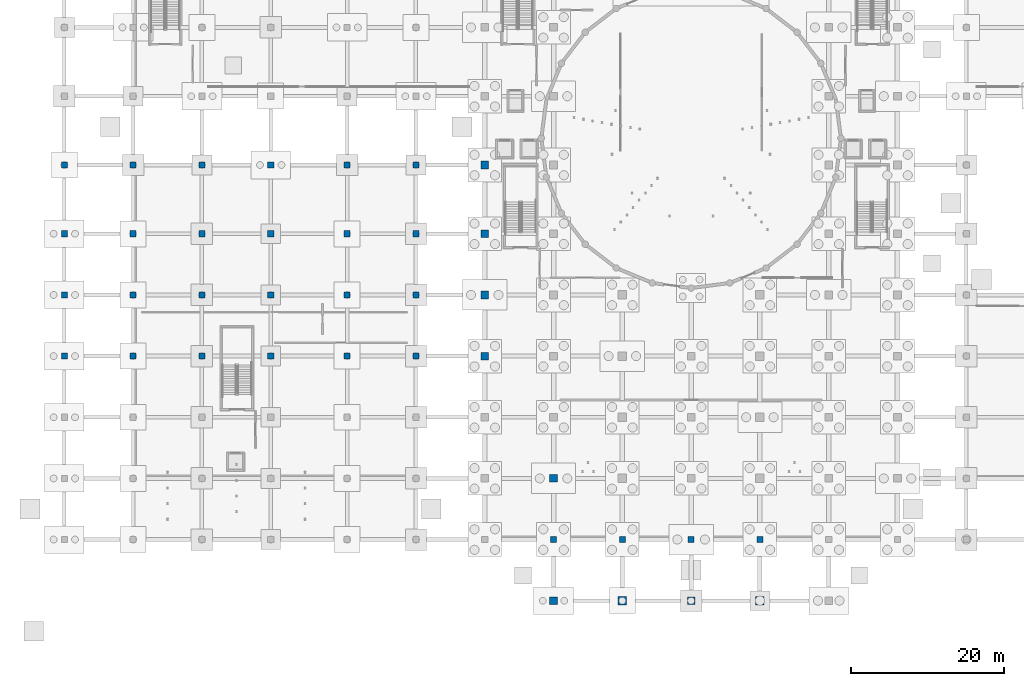
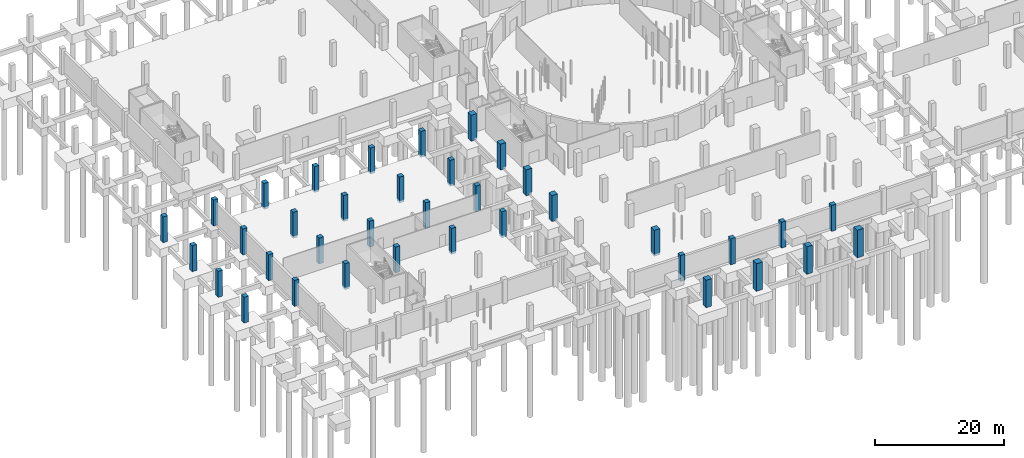
# One storey, part 14 of 40: 37 columns.
"""IFC4 building model written with IfcOpenShell, lengths in metres."""

from ifc_helpers import new_model, si_unit, direction, frame, origin, origin_2d, place, context, subcontext, project, spatial, rectangle, extrude, material, material_profile, profile_set, type_object, element, save


model = new_model("IFC4")

# Units and contexts
model_context = context("Model", 3, precision=1e-05, world=origin(), true_north=direction((0.0, 1.0)))
body_context = subcontext(model_context, "Body", "Model", "MODEL_VIEW")
ifc_project = project(units=[si_unit("LENGTHUNIT", "METRE"), si_unit("AREAUNIT", "SQUARE_METRE"), si_unit("VOLUMEUNIT", "CUBIC_METRE"), si_unit("PLANEANGLEUNIT", "RADIAN"), si_unit("MASSUNIT", "GRAM", prefix="KILO")], contexts=[model_context])

# Site, building, storey
site_placement = place(None, origin())
site = spatial("IfcSite", under=ifc_project, at=site_placement, CompositionType="ELEMENT")
building_placement = place(site_placement, origin())
building = spatial("IfcBuilding", under=site, at=building_placement, Name="Marnock Terrace Opera House", CompositionType="ELEMENT")
storey_placement = place(building_placement, frame((0.0, 0.0, -4.800048828125)))
storey = spatial("IfcBuildingStorey", under=building, at=storey_placement, Name="B1", CompositionType="ELEMENT", Elevation=-4.800048828125)

# Columns
ifc_material = material(Name="Concrete N50 (f'c = 50 MPa)", Category="concrete")
ifc_material_profile_1 = material_profile(ifc_material, rectangle(XDim=1.0, YDim=1.0, at=origin_2d()))
ifc_profile_set_1 = profile_set([ifc_material_profile_1], Name="Concrete N50 (f'c = 50 MPa)")
column_type_1 = type_object("IfcColumnType", Name="COL-RC1000", PredefinedType="COLUMN", material=ifc_profile_set_1)
for number, where, z_axis, x_axis, name in (
    (1, (55.0, 32.0, -0.39990234375), (0.0, 0.0, 1.0), (1.0, 0.0, 0.0), "B1 column at (55.0, 32.0)"),
    (2, (55.0, 40.0, -0.39990234375), (0.0, 0.0, 1.0), (1.0, 0.0, 0.0), "B1 column at (55.0, 40.0)"),
    (3, (55.0, 48.0, -0.39990234375), (0.0, 0.0, 1.0), (1.0, 0.0, 0.0), "B1 column at (55.0, 48.0)"),
    (4, (55.0, 57.0, -0.39990234375), (0.0, 0.0, 1.0), (1.0, 0.0, 0.0), "B1 column at (55.0, 57.0)"),
):
    element("IfcColumn", number, at=place(storey_placement, frame(where, z_axis=z_axis, x_axis=x_axis)), inside=storey, type_object=column_type_1, Name=name, PredefinedType="COLUMN", context=body_context, shape_type="SweptSolid", body=[
        extrude(rectangle(XDim=1.0, YDim=1.0, at=origin_2d()), origin(), (0.0, 0.0, 1.0), 4.89990234375),
    ])
column_1_placement = place(storey_placement, frame((64.0, 0.0, -0.39990234375), z_axis=(0.0, 0.0, 1.0), x_axis=(1.0, 0.0, 0.0)))
element("IfcColumn", 5, at=column_1_placement, inside=storey, type_object=column_type_1, Name="B1 column at (64.0, 0.0)", PredefinedType="COLUMN", context=body_context, shape_type="SweptSolid", body=[
    extrude(rectangle(XDim=1.0, YDim=1.0, at=origin_2d()), origin(), (0.0, 0.0, 1.0), 5.199951171875),
])
column_2_placement = place(storey_placement, frame((64.0, 16.0, -0.39990234375), z_axis=(0.0, 0.0, 1.0), x_axis=(1.0, 0.0, 0.0)))
element("IfcColumn", 6, at=column_2_placement, inside=storey, type_object=column_type_1, Name="B1 column at (64.0, 16.0)", PredefinedType="COLUMN", context=body_context, shape_type="SweptSolid", body=[
    extrude(rectangle(XDim=1.0, YDim=1.0, at=origin_2d()), origin(), (0.0, 0.0, 1.0), 4.89990234375),
])
column_3_placement = place(storey_placement, frame((82.0, 0.0, -0.39990234375), z_axis=(0.0, 0.0, 1.0), x_axis=(1.0, 0.0, 0.0)))
element("IfcColumn", 7, at=column_3_placement, inside=storey, type_object=column_type_1, Name="B1 column at (82.0, 0.0)", PredefinedType="COLUMN", context=body_context, shape_type="SweptSolid", body=[
    extrude(rectangle(XDim=1.0, YDim=1.0, at=origin_2d()), origin(), (0.0, 0.0, 1.0), 5.199951171875),
])
ifc_material_profile_2 = material_profile(ifc_material, rectangle(XDim=1.10009765625, YDim=1.10009765625, at=origin_2d()))
ifc_profile_set_2 = profile_set([ifc_material_profile_2], Name="Concrete N50 (f'c = 50 MPa)")
column_type_2 = type_object("IfcColumnType", Name="COL-RC1100", PredefinedType="COLUMN", material=ifc_profile_set_2)
for number, where, z_axis, x_axis, name in (
    (8, (73.0, 0.0, -0.39990234375), (0.0, 0.0, 1.0), (1.0, 0.0, 0.0), "B1 column at (73.0, 0.0)"),
    (9, (91.0, 0.0, -0.39990234375), (0.0, 0.0, 1.0), (1.0, 0.0, 0.0), "B1 column at (91.0, 0.0)"),
):
    element("IfcColumn", number, at=place(storey_placement, frame(where, z_axis=z_axis, x_axis=x_axis)), inside=storey, type_object=column_type_2, Name=name, PredefinedType="COLUMN", context=body_context, shape_type="SweptSolid", body=[
        extrude(rectangle(XDim=1.10009765625, YDim=1.10009765625, at=origin_2d()), origin(), (0.0, 0.0, 1.0), 5.199951171875),
    ])
ifc_material_profile_3 = material_profile(ifc_material, rectangle(XDim=0.800048828125, YDim=0.800048828125, at=origin_2d()))
ifc_profile_set_3 = profile_set([ifc_material_profile_3], Name="Concrete N50 (f'c = 50 MPa)")
column_type_3 = type_object("IfcColumnType", Name="COL-RC800", PredefinedType="COLUMN", material=ifc_profile_set_3)
for number, where, z_axis, x_axis, name in (
    (10, (0.0, 32.0, -0.39990234375), (0.0, 0.0, 1.0), (1.0, 0.0, 0.0), "B1 column at (0.0, 32.0)"),
    (11, (0.0, 40.0, -0.39990234375), (0.0, 0.0, 1.0), (1.0, 0.0, 0.0), "B1 column at (0.0, 40.0)"),
    (12, (0.0, 48.0, -0.39990234375), (0.0, 0.0, 1.0), (1.0, 0.0, 0.0), "B1 column at (0.0, 48.0)"),
    (13, (0.0, 57.0, -0.39990234375), (0.0, 0.0, 1.0), (1.0, 0.0, 0.0), "B1 column at (0.0, 57.0)"),
    (14, (9.0, 32.0, -0.39990234375), (0.0, 0.0, 1.0), (1.0, 0.0, 0.0), "B1 column at (9.0, 32.0)"),
    (15, (9.0, 40.0, -0.39990234375), (0.0, 0.0, 1.0), (1.0, 0.0, 0.0), "B1 column at (9.0, 40.0)"),
    (16, (9.0, 48.0, -0.39990234375), (0.0, 0.0, 1.0), (1.0, 0.0, 0.0), "B1 column at (9.0, 48.0)"),
    (17, (9.0, 57.0, -0.39990234375), (0.0, 0.0, 1.0), (1.0, 0.0, 0.0), "B1 column at (9.0, 57.0)"),
    (18, (18.0, 32.0, -0.39990234375), (0.0, 0.0, 1.0), (1.0, 0.0, 0.0), "B1 column at (18.0, 32.0)"),
    (19, (18.0, 40.0, -0.39990234375), (0.0, 0.0, 1.0), (1.0, 0.0, 0.0), "B1 column at (18.0, 40.0)"),
    (20, (18.0, 48.0, -0.39990234375), (0.0, 0.0, 1.0), (1.0, 0.0, 0.0), "B1 column at (18.0, 48.0)"),
    (21, (18.0, 57.0, -0.39990234375), (0.0, 0.0, 1.0), (1.0, 0.0, 0.0), "B1 column at (18.0, 57.0)"),
    (22, (27.0, 32.0, -0.39990234375), (0.0, 0.0, 1.0), (1.0, 0.0, 0.0), "B1 column at (27.0, 32.0)"),
    (23, (27.0, 40.0, -0.39990234375), (0.0, 0.0, 1.0), (1.0, 0.0, 0.0), "B1 column at (27.0, 40.0)"),
    (24, (27.0, 48.0, -0.39990234375), (0.0, 0.0, 1.0), (1.0, 0.0, 0.0), "B1 column at (27.0, 48.0)"),
    (25, (27.0, 57.0, -0.39990234375), (0.0, 0.0, 1.0), (1.0, 0.0, 0.0), "B1 column at (27.0, 57.0)"),
    (26, (37.0, 32.0, -0.39990234375), (0.0, 0.0, 1.0), (1.0, 0.0, 0.0), "B1 column at (37.0, 32.0)"),
    (27, (37.0, 40.0, -0.39990234375), (0.0, 0.0, 1.0), (1.0, 0.0, 0.0), "B1 column at (37.0, 40.0)"),
    (28, (37.0, 48.0, -0.39990234375), (0.0, 0.0, 1.0), (1.0, 0.0, 0.0), "B1 column at (37.0, 48.0)"),
    (29, (37.0, 57.0, -0.39990234375), (0.0, 0.0, 1.0), (1.0, 0.0, 0.0), "B1 column at (37.0, 57.0)"),
    (30, (46.0, 32.0, -0.39990234375), (0.0, 0.0, 1.0), (1.0, 0.0, 0.0), "B1 column at (46.0, 32.0)"),
    (31, (46.0, 40.0, -0.39990234375), (0.0, 0.0, 1.0), (1.0, 0.0, 0.0), "B1 column at (46.0, 40.0)"),
    (32, (46.0, 48.0, -0.39990234375), (0.0, 0.0, 1.0), (1.0, 0.0, 0.0), "B1 column at (46.0, 48.0)"),
    (33, (46.0, 57.0, -0.39990234375), (0.0, 0.0, 1.0), (1.0, 0.0, 0.0), "B1 column at (46.0, 57.0)"),
    (34, (64.0, 8.0, -0.39990234375), (0.0, 0.0, 1.0), (1.0, 0.0, 0.0), "B1 column at (64.0, 8.0)"),
    (35, (73.0, 8.0, -0.39990234375), (0.0, 0.0, 1.0), (1.0, 0.0, 0.0), "B1 column at (73.0, 8.0)"),
    (36, (82.0, 8.0, -0.39990234375), (0.0, 0.0, 1.0), (1.0, 0.0, 0.0), "B1 column at (82.0, 8.0)"),
    (37, (91.0, 8.0, -0.39990234375), (0.0, 0.0, 1.0), (1.0, 0.0, 0.0), "B1 column at (91.0, 8.0)"),
):
    element("IfcColumn", number, at=place(storey_placement, frame(where, z_axis=z_axis, x_axis=x_axis)), inside=storey, type_object=column_type_3, Name=name, PredefinedType="COLUMN", context=body_context, shape_type="SweptSolid", body=[
        extrude(rectangle(XDim=0.800048828125, YDim=0.800048828125, at=origin_2d()), origin(), (0.0, 0.0, 1.0), 4.89990234375),
    ])

save(model, "model.ifc")
